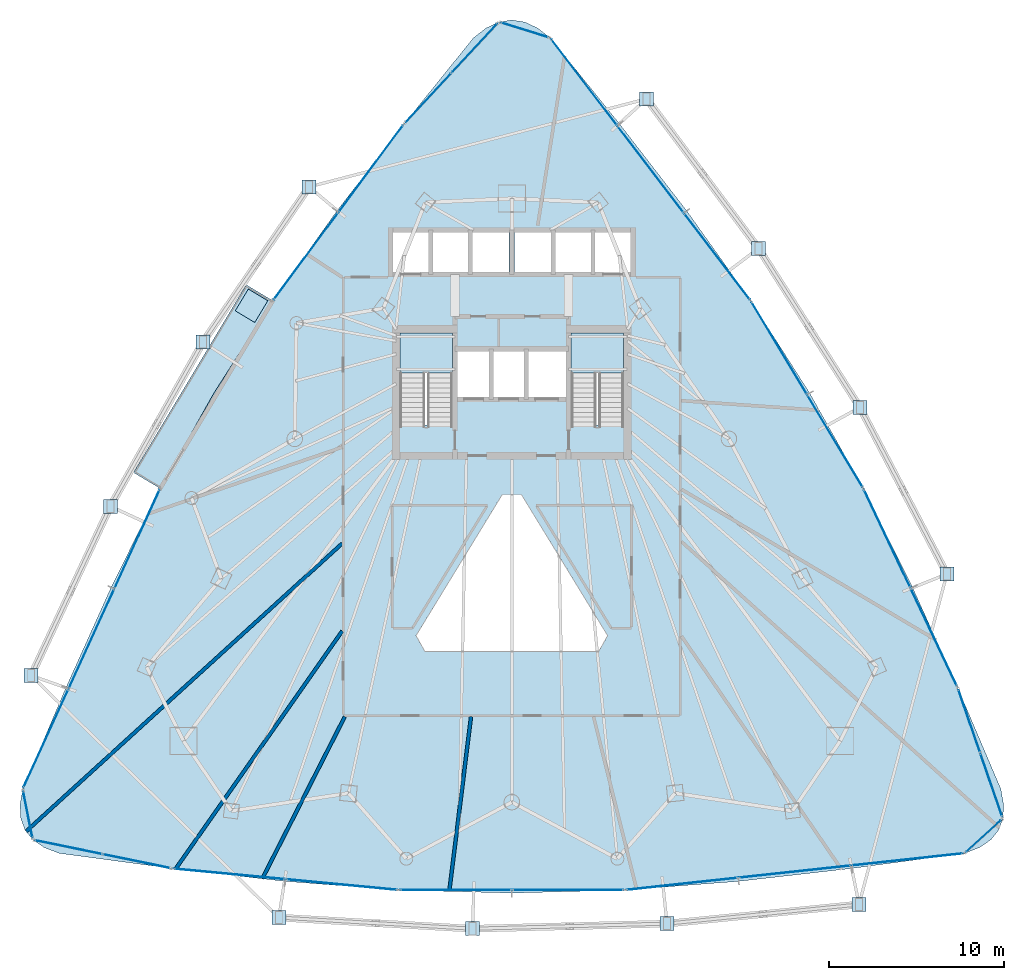
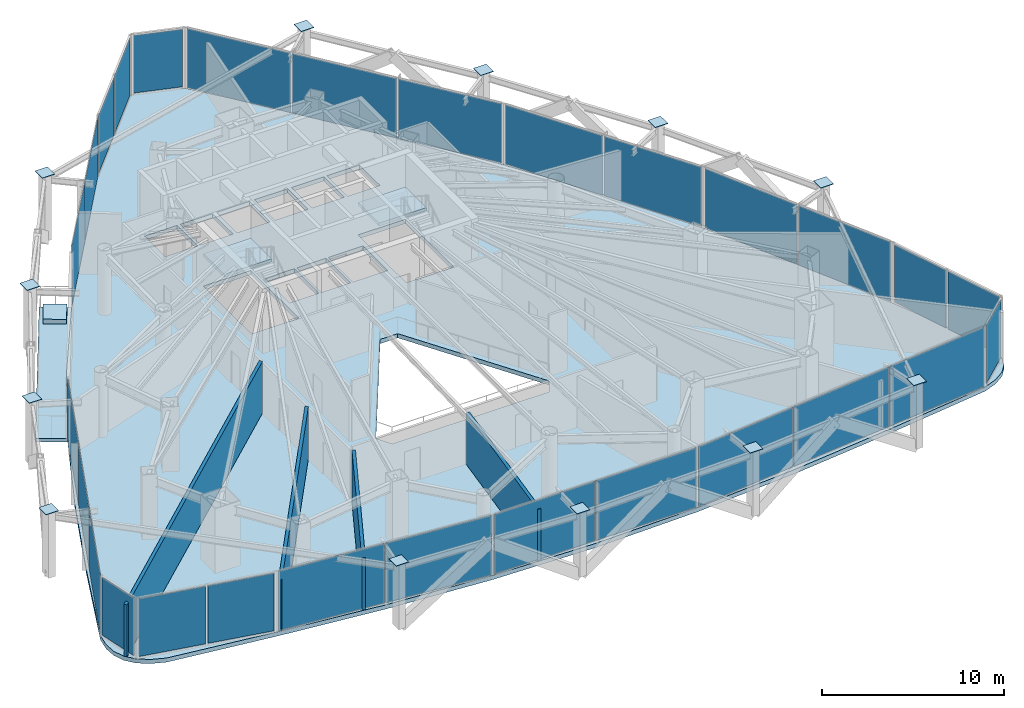
# One storey, part 27 of 33: 40 plates, 5 slabs, 4 walls, 16 elements without a shape of their own.
"""IFC4 building model written with IfcOpenShell, lengths in metres."""

from ifc_helpers import new_model, si_unit, direction, frame, frame_2d, origin, origin_2d, place, context, subcontext, project, spatial, polyline, rectangle, outline, extrude, material, layer, layer_set, type_object, element, aggregate, save


model = new_model("IFC4")

# Units and contexts
model_context = context("Model", 3, precision=1e-05, world=origin(), true_north=direction((0.0, 1.0)))
body_context = subcontext(model_context, "Body", "Model", "MODEL_VIEW")
ifc_project = project(units=[si_unit("LENGTHUNIT", "METRE"), si_unit("AREAUNIT", "SQUARE_METRE"), si_unit("VOLUMEUNIT", "CUBIC_METRE"), si_unit("PLANEANGLEUNIT", "RADIAN"), si_unit("MASSUNIT", "GRAM", prefix="KILO")], contexts=[model_context])

# Site, building, storey
site_placement = place(None, origin())
site = spatial("IfcSite", under=ifc_project, at=site_placement, CompositionType="ELEMENT")
building_placement = place(site_placement, origin())
building = spatial("IfcBuilding", under=site, at=building_placement, Name="Orvanel Arch Residences", CompositionType="ELEMENT")
storey_placement = place(building_placement, frame((0.0, 0.0, 59.89990234375)))
storey = spatial("IfcBuildingStorey", under=building, at=storey_placement, Name="L16", CompositionType="ELEMENT", Elevation=59.89990234375)

# Plates
ifc_material_1 = material(Name="Structural steel AS/NZS 3678 Grade 350", Category="steel")
ifc_layer_1 = layer(ifc_material_1, 0.031982421875)
ifc_layer_set_1 = layer_set([ifc_layer_1], Name="Structural steel AS/NZS 3678 Grade 350")
plate_type_1 = type_object("IfcPlateType", Name="PL-CAP-32", PredefinedType="SHEET", material=ifc_layer_set_1)
for number, where, z_axis, x_axis, name in (
    (1, (21.39111328125, 42.06689453125, 4.333984375), (0.0, 0.0, 1.0), (1.0, 0.0, 0.0), "L16 hollow member end cap plate"),
    (2, (15.318115234375, 33.18310546875, 4.333984375), (0.0, 0.0, 1.0), (1.0, 0.0, 0.0), "L16 hollow member end cap plate"),
    (3, (10.01806640625, 23.781005859375, 4.333984375), (0.0, 0.0, 1.0), (1.0, 0.0, 0.0), "L16 hollow member end cap plate"),
    (4, (5.48291015625, 14.091064453125, 4.333984375), (0.0, 0.0, 1.0), (1.0, 0.0, 0.0), "L16 hollow member end cap plate"),
    (5, (19.658935546875, 0.236083984375, 4.333984375), (0.0, 0.0, 1.0), (1.0, 0.0, 0.0), "L16 hollow member end cap plate"),
    (6, (30.7490234375, -0.402099609375, 4.333984375), (0.0, 0.0, 1.0), (1.0, 0.0, 0.0), "L16 hollow member end cap plate"),
    (7, (41.884033203125, -0.111083984375, 4.333984375), (0.0, 0.0, 1.0), (1.0, 0.0, 0.0), "L16 hollow member end cap plate"),
    (8, (52.8779296875, 0.985107421875, 4.333984375), (0.0, 0.0, 1.0), (1.0, 0.0, 0.0), "L16 hollow member end cap plate"),
    (9, (57.904052734375, 19.903076171875, 4.333984375), (0.0, 0.0, 1.0), (1.0, 0.0, 0.0), "L16 hollow member end cap plate"),
    (10, (52.926025390625, 29.443115234375, 4.333984375), (0.0, 0.0, 1.0), (1.0, 0.0, 0.0), "L16 hollow member end cap plate"),
    (11, (47.1259765625, 38.544921875, 4.333984375), (0.0, 0.0, 1.0), (1.0, 0.0, 0.0), "L16 hollow member end cap plate"),
    (12, (40.7119140625, 47.10693359375, 4.333984375), (0.0, 0.0, 1.0), (1.0, 0.0, 0.0), "L16 hollow member end cap plate"),
):
    element("IfcPlate", number, at=place(storey_placement, frame(where, z_axis=z_axis, x_axis=x_axis)), inside=storey, type_object=plate_type_1, Name=name, PredefinedType="SHEET", context=body_context, shape_type="SweptSolid", body=[
        extrude(rectangle(XDim=0.800048828125, YDim=0.800048828125, at=origin_2d()), origin(), (0.0, 0.0, 1.0), 0.031982421875),
    ])

# Curtain wall, plate
ifc_material_2 = material(Name="Bronze-anodised aluminium AA6063-T6", Category="aluminium")
ifc_layer_2 = layer(ifc_material_2, 0.18994140625)
ifc_layer_set_2 = layer_set([ifc_layer_2], Name="Bronze-anodised aluminium AA6063-T6")
curtain_wall_type_1 = type_object("IfcCurtainWallType", Name="CW5-CRN-SYS", PredefinedType="NOTDEFINED", material=ifc_layer_set_2)
curtain_wall_1_placement = place(storey_placement, origin())
curtain_wall_1 = element("IfcCurtainWall", 13, at=curtain_wall_1_placement, inside=storey, type_object=curtain_wall_type_1, Name="L16 CW5-CRN-SYS Unitised Curtain Wall", PredefinedType="NOTDEFINED")
ifc_material_3 = material(Name="Double-glazed solar-control low-E safety glass", Category="glass")
ifc_layer_3 = layer(ifc_material_3, 0.031982421875)
ifc_layer_set_3 = layer_set([ifc_layer_3], Name="Double-glazed solar-control low-E safety glass")
plate_type_2 = type_object("IfcPlateType", Name="PNL-GLZ-32", PredefinedType="CURTAIN_PANEL", material=ifc_layer_set_3)
plate_1_placement = place(storey_placement, frame((33.735107421875, 51.050537109375, 0.130126953125), z_axis=(0.0, 0.0, 1.0), x_axis=(-0.954842257027, 0.297113217806, 0.0)))
plate_1 = element("IfcPlate", 14, at=plate_1_placement, type_object=plate_type_2, Name="CW-S5 panel 1.1", PredefinedType="CURTAIN_PANEL", context=body_context, shape_type="SweptSolid", body=[
    extrude(rectangle(XDim=2.7392578125, YDim=0.031982421875, at=origin_2d()), origin(), (0.0, 0.0, 1.0), 3.85009765625),
])
aggregate(curtain_wall_1, [plate_1])

# Curtain wall, plates
curtain_wall_2_placement = place(storey_placement, origin())
curtain_wall_2 = element("IfcCurtainWall", 15, at=curtain_wall_2_placement, inside=storey, type_object=curtain_wall_type_1, Name="L16 CW5-CRN-SYS Unitised Curtain Wall", PredefinedType="NOTDEFINED")
plate_2_placement = place(storey_placement, frame((30.871826171875, 50.012451171875, 0.130126953125), z_axis=(0.0, 0.0, 1.0), x_axis=(-0.68160919544, -0.73171641002, 0.0)))
plate_2 = element("IfcPlate", 16, at=plate_2_placement, type_object=plate_type_2, Name="CW-S5 panel 1.1", PredefinedType="CURTAIN_PANEL", context=body_context, shape_type="SweptSolid", body=[
    extrude(rectangle(XDim=3.74658203125, YDim=0.031982421875, at=origin_2d()), origin(), (0.0, 0.0, 1.0), 3.85009765625),
])
plate_3_placement = place(storey_placement, frame((28.216064453125, 47.161376953125, 0.130126953125), z_axis=(0.0, 0.0, 1.0), x_axis=(-0.68160919544, -0.73171641002, 0.0)))
plate_3 = element("IfcPlate", 17, at=plate_3_placement, type_object=plate_type_2, Name="CW-S5 panel 2.1", PredefinedType="CURTAIN_PANEL", context=body_context, shape_type="SweptSolid", body=[
    extrude(rectangle(XDim=3.74658203125, YDim=0.031982421875, at=origin_2d()), origin(), (0.0, 0.0, 1.0), 3.85009765625),
])
aggregate(curtain_wall_2, [plate_2, plate_3])

# Curtain wall, plate
curtain_wall_3_placement = place(storey_placement, origin())
curtain_wall_3 = element("IfcCurtainWall", 18, at=curtain_wall_3_placement, inside=storey, type_object=curtain_wall_type_1, Name="L16 CW5-CRN-SYS Unitised Curtain Wall", PredefinedType="NOTDEFINED")
plate_4_placement = place(storey_placement, frame((5.291015625, 6.137939453125, 0.130126953125), z_axis=(0.0, 0.0, 1.0), x_axis=(0.1955900444, -0.980685747083, 0.0)))
plate_4 = element("IfcPlate", 19, at=plate_4_placement, type_object=plate_type_2, Name="CW-S5 panel 1.1", PredefinedType="CURTAIN_PANEL", context=body_context, shape_type="SweptSolid", body=[
    extrude(rectangle(XDim=2.62451171875, YDim=0.031982421875, at=origin_2d()), origin(), (0.0, 0.0, 1.0), 3.85009765625),
])
aggregate(curtain_wall_3, [plate_4])

# Curtain wall, plates
curtain_wall_4_placement = place(storey_placement, origin())
curtain_wall_4 = element("IfcCurtainWall", 20, at=curtain_wall_4_placement, inside=storey, type_object=curtain_wall_type_1, Name="L16 CW5-CRN-SYS Unitised Curtain Wall", PredefinedType="NOTDEFINED")
plate_5_placement = place(storey_placement, frame((7.623046875, 4.264404296875, 0.130126953125), z_axis=(0.0, 0.0, 1.0), x_axis=(0.9795279221, -0.201308345149, 0.0)))
plate_5 = element("IfcPlate", 21, at=plate_5_placement, type_object=plate_type_2, Name="CW-S5 panel 1.1", PredefinedType="CURTAIN_PANEL", context=body_context, shape_type="SweptSolid", body=[
    extrude(rectangle(XDim=3.828369140625, YDim=0.031982421875, at=origin_2d()), origin(), (0.0, 0.0, 1.0), 3.85009765625),
])
plate_6_placement = place(storey_placement, frame((11.52001953125, 3.463623046875, 0.130126953125), z_axis=(0.0, 0.0, 1.0), x_axis=(0.9795279221, -0.201308345149, 0.0)))
plate_6 = element("IfcPlate", 22, at=plate_6_placement, type_object=plate_type_2, Name="CW-S5 panel 2.1", PredefinedType="CURTAIN_PANEL", context=body_context, shape_type="SweptSolid", body=[
    extrude(rectangle(XDim=3.828369140625, YDim=0.031982421875, at=origin_2d()), origin(), (0.0, 0.0, 1.0), 3.85009765625),
])
aggregate(curtain_wall_4, [plate_5, plate_6])

# Curtain wall, plate
curtain_wall_5_placement = place(storey_placement, origin())
curtain_wall_5 = element("IfcCurtainWall", 23, at=curtain_wall_5_placement, inside=storey, type_object=curtain_wall_type_1, Name="L16 CW5-CRN-SYS Unitised Curtain Wall", PredefinedType="NOTDEFINED")
plate_7_placement = place(storey_placement, frame((60.014892578125, 4.91259765625, 0.130126953125), z_axis=(0.0, 0.0, 1.0), x_axis=(0.740295668678, 0.672281431349, 0.0)))
plate_7 = element("IfcPlate", 24, at=plate_7_placement, type_object=plate_type_2, Name="CW-S5 panel 1.1", PredefinedType="CURTAIN_PANEL", context=body_context, shape_type="SweptSolid", body=[
    extrude(rectangle(XDim=2.6259765625, YDim=0.031982421875, at=origin_2d()), origin(), (0.0, 0.0, 1.0), 3.85009765625),
])
aggregate(curtain_wall_5, [plate_7])

# Curtain wall, plates
curtain_wall_6_placement = place(storey_placement, origin())
curtain_wall_6 = element("IfcCurtainWall", 25, at=curtain_wall_6_placement, inside=storey, type_object=curtain_wall_type_1, Name="L16 CW5-CRN-SYS Unitised Curtain Wall", PredefinedType="NOTDEFINED")
plate_8_placement = place(storey_placement, frame((60.449462890625, 7.83056640625, 0.130126953125), z_axis=(0.0, 0.0, 1.0), x_axis=(-0.326197427825, 0.945301665121, 0.0)))
plate_8 = element("IfcPlate", 26, at=plate_8_placement, type_object=plate_type_2, Name="CW-S5 panel 1.1", PredefinedType="CURTAIN_PANEL", context=body_context, shape_type="SweptSolid", body=[
    extrude(rectangle(XDim=3.72509765625, YDim=0.031982421875, at=origin_2d()), origin(), (0.0, 0.0, 1.0), 3.85009765625),
])
plate_9_placement = place(storey_placement, frame((59.185546875, 11.49365234375, 0.130126953125), z_axis=(0.0, 0.0, 1.0), x_axis=(-0.326197427825, 0.945301665121, 0.0)))
plate_9 = element("IfcPlate", 27, at=plate_9_placement, type_object=plate_type_2, Name="CW-S5 panel 2.1", PredefinedType="CURTAIN_PANEL", context=body_context, shape_type="SweptSolid", body=[
    extrude(rectangle(XDim=3.72509765625, YDim=0.031982421875, at=origin_2d()), origin(), (0.0, 0.0, 1.0), 3.85009765625),
])
aggregate(curtain_wall_6, [plate_8, plate_9])

ifc_layer_4 = layer(ifc_material_2, 0.195068359375)
ifc_layer_set_4 = layer_set([ifc_layer_4], Name="Bronze-anodised aluminium AA6063-T6")
curtain_wall_type_2 = type_object("IfcCurtainWallType", Name="CW6-COM-SYS", PredefinedType="NOTDEFINED", material=ifc_layer_set_4)
curtain_wall_7_placement = place(storey_placement, origin())
curtain_wall_7 = element("IfcCurtainWall", 28, at=curtain_wall_7_placement, inside=storey, type_object=curtain_wall_type_2, Name="L16 CW6-COM-SYS Unitised Curtain Wall", PredefinedType="NOTDEFINED")
plate_10_placement = place(storey_placement, frame((24.9296875, 43.11376953125, 0.065185546875), z_axis=(0.0, 0.0, 1.0), x_axis=(-0.595774017942, -0.803152114823, 0.0)))
plate_10 = element("IfcPlate", 29, at=plate_10_placement, type_object=plate_type_2, Name="CW-S6 panel 1.1", PredefinedType="CURTAIN_PANEL", context=body_context, shape_type="SweptSolid", body=[
    extrude(rectangle(XDim=6.165771484375, YDim=0.031982421875, at=origin_2d()), origin(), (0.0, 0.0, 1.0), 3.97998046875),
])
plate_11_placement = place(storey_placement, frame((21.21142578125, 38.101318359375, 0.065185546875), z_axis=(0.0, 0.0, 1.0), x_axis=(-0.595774017942, -0.803152114823, 0.0)))
plate_11 = element("IfcPlate", 30, at=plate_11_placement, type_object=plate_type_2, Name="CW-S6 panel 2.1", PredefinedType="CURTAIN_PANEL", context=body_context, shape_type="SweptSolid", body=[
    extrude(rectangle(XDim=6.165771484375, YDim=0.031982421875, at=origin_2d()), origin(), (0.0, 0.0, 1.0), 3.97998046875),
])
aggregate(curtain_wall_7, [plate_10, plate_11])

curtain_wall_8_placement = place(storey_placement, origin())
curtain_wall_8 = element("IfcCurtainWall", 31, at=curtain_wall_8_placement, inside=storey, type_object=curtain_wall_type_2, Name="L16 CW6-COM-SYS Unitised Curtain Wall", PredefinedType="NOTDEFINED")
plate_12_placement = place(storey_placement, frame((11.54541015625, 21.902099609375, 0.065185546875), z_axis=(0.0, 0.0, 1.0), x_axis=(-0.415908698463, -0.909406374809, 0.0)))
plate_12 = element("IfcPlate", 32, at=plate_12_placement, type_object=plate_type_2, Name="CW-S6 panel 1.1", PredefinedType="CURTAIN_PANEL", context=body_context, shape_type="SweptSolid", body=[
    extrude(rectangle(XDim=6.181396484375, YDim=0.031982421875, at=origin_2d()), origin(), (0.0, 0.0, 1.0), 3.97998046875),
])
plate_13_placement = place(storey_placement, frame((8.935546875, 16.195556640625, 0.065185546875), z_axis=(0.0, 0.0, 1.0), x_axis=(-0.415908698463, -0.909406374809, 0.0)))
plate_13 = element("IfcPlate", 33, at=plate_13_placement, type_object=plate_type_2, Name="CW-S6 panel 2.1", PredefinedType="CURTAIN_PANEL", context=body_context, shape_type="SweptSolid", body=[
    extrude(rectangle(XDim=6.21875, YDim=0.031982421875, at=origin_2d()), origin(), (0.0, 0.0, 1.0), 3.97998046875),
])
plate_14_placement = place(storey_placement, frame((6.32568359375, 10.48876953125, 0.065185546875), z_axis=(0.0, 0.0, 1.0), x_axis=(-0.415908698463, -0.909406374809, 0.0)))
plate_14 = element("IfcPlate", 34, at=plate_14_placement, type_object=plate_type_2, Name="CW-S6 panel 3.1", PredefinedType="CURTAIN_PANEL", context=body_context, shape_type="SweptSolid", body=[
    extrude(rectangle(XDim=6.181396484375, YDim=0.031982421875, at=origin_2d()), origin(), (0.0, 0.0, 1.0), 3.97998046875),
])
aggregate(curtain_wall_8, [plate_12, plate_13, plate_14])

curtain_wall_9_placement = place(storey_placement, origin())
curtain_wall_9 = element("IfcCurtainWall", 35, at=curtain_wall_9_placement, inside=storey, type_object=curtain_wall_type_2, Name="L16 CW6-COM-SYS Unitised Curtain Wall", PredefinedType="NOTDEFINED")
plate_15_placement = place(storey_placement, frame((16.830322265625, 2.733154296875, 0.065185546875), z_axis=(0.0, 0.0, 1.0), x_axis=(0.995512772402, -0.094627268719, 0.0)))
plate_15 = element("IfcPlate", 36, at=plate_15_placement, type_object=plate_type_2, Name="CW-S6 panel 1.1", PredefinedType="CURTAIN_PANEL", context=body_context, shape_type="SweptSolid", body=[
    extrude(rectangle(XDim=6.376220703125, YDim=0.031982421875, at=origin_2d()), origin(), (0.0, 0.0, 1.0), 3.97998046875),
])
plate_16_placement = place(storey_placement, frame((23.252685546875, 2.122802734375, 0.065185546875), z_axis=(0.0, 0.0, 1.0), x_axis=(0.995512772402, -0.094627268719, 0.0)))
plate_16 = element("IfcPlate", 37, at=plate_16_placement, type_object=plate_type_2, Name="CW-S6 panel 2.1", PredefinedType="CURTAIN_PANEL", context=body_context, shape_type="SweptSolid", body=[
    extrude(rectangle(XDim=6.376220703125, YDim=0.031982421875, at=origin_2d()), origin(), (0.0, 0.0, 1.0), 3.97998046875),
])
aggregate(curtain_wall_9, [plate_15, plate_16])

curtain_wall_10_placement = place(storey_placement, origin())
curtain_wall_10 = element("IfcCurtainWall", 38, at=curtain_wall_10_placement, inside=storey, type_object=curtain_wall_type_2, Name="L16 CW6-COM-SYS Unitised Curtain Wall", PredefinedType="NOTDEFINED")
plate_17_placement = place(storey_placement, frame((29.789306640625, 1.81201171875, 0.065185546875), z_axis=(0.0, 0.0, 1.0), x_axis=(1.0, 0.0, 0.0)))
plate_17 = element("IfcPlate", 39, at=plate_17_placement, type_object=plate_type_2, Name="CW-S6 panel 1.1", PredefinedType="CURTAIN_PANEL", context=body_context, shape_type="SweptSolid", body=[
    extrude(rectangle(XDim=6.346435546875, YDim=0.031982421875, at=origin_2d()), origin(), (0.0, 0.0, 1.0), 3.97998046875),
])
plate_18_placement = place(storey_placement, frame((36.210693359375, 1.81201171875, 0.065185546875), z_axis=(0.0, 0.0, 1.0), x_axis=(1.0, 0.0, 0.0)))
plate_18 = element("IfcPlate", 40, at=plate_18_placement, type_object=plate_type_2, Name="CW-S6 panel 2.1", PredefinedType="CURTAIN_PANEL", context=body_context, shape_type="SweptSolid", body=[
    extrude(rectangle(XDim=6.346435546875, YDim=0.031982421875, at=origin_2d()), origin(), (0.0, 0.0, 1.0), 3.97998046875),
])
aggregate(curtain_wall_10, [plate_17, plate_18])

curtain_wall_11_placement = place(storey_placement, origin())
curtain_wall_11 = element("IfcCurtainWall", 41, at=curtain_wall_11_placement, inside=storey, type_object=curtain_wall_type_2, Name="L16 CW6-COM-SYS Unitised Curtain Wall", PredefinedType="NOTDEFINED")
plate_19_placement = place(storey_placement, frame((42.750732421875, 2.166015625, 0.065185546875), z_axis=(0.0, 0.0, 1.0), x_axis=(0.994191050309, 0.107629714694, 0.0)))
plate_19 = element("IfcPlate", 42, at=plate_19_placement, type_object=plate_type_2, Name="CW-S6 panel 1.1", PredefinedType="CURTAIN_PANEL", context=body_context, shape_type="SweptSolid", body=[
    extrude(rectangle(XDim=6.391357421875, YDim=0.031982421875, at=origin_2d()), origin(), (0.0, 0.0, 1.0), 3.97998046875),
])
plate_20_placement = place(storey_placement, frame((49.197998046875, 2.864013671875, 0.065185546875), z_axis=(0.0, 0.0, 1.0), x_axis=(0.994191050309, 0.107629714694, 0.0)))
plate_20 = element("IfcPlate", 43, at=plate_20_placement, type_object=plate_type_2, Name="CW-S6 panel 2.1", PredefinedType="CURTAIN_PANEL", context=body_context, shape_type="SweptSolid", body=[
    extrude(rectangle(XDim=6.4287109375, YDim=0.031982421875, at=origin_2d()), origin(), (0.0, 0.0, 1.0), 3.97998046875),
])
plate_21_placement = place(storey_placement, frame((55.645263671875, 3.56201171875, 0.065185546875), z_axis=(0.0, 0.0, 1.0), x_axis=(0.994191050309, 0.107629714694, 0.0)))
plate_21 = element("IfcPlate", 44, at=plate_21_placement, type_object=plate_type_2, Name="CW-S6 panel 3.1", PredefinedType="CURTAIN_PANEL", context=body_context, shape_type="SweptSolid", body=[
    extrude(rectangle(XDim=6.391357421875, YDim=0.031982421875, at=origin_2d()), origin(), (0.0, 0.0, 1.0), 3.97998046875),
])
aggregate(curtain_wall_11, [plate_19, plate_20, plate_21])

curtain_wall_12_placement = place(storey_placement, origin())
curtain_wall_12 = element("IfcCurtainWall", 45, at=curtain_wall_12_placement, inside=storey, type_object=curtain_wall_type_2, Name="L16 CW6-COM-SYS Unitised Curtain Wall", PredefinedType="NOTDEFINED")
plate_22_placement = place(storey_placement, frame((57.161376953125, 16.286865234375, 0.065185546875), z_axis=(0.0, 0.0, 1.0), x_axis=(-0.427997330769, 0.903779998039, 0.0)))
plate_22 = element("IfcPlate", 46, at=plate_22_placement, type_object=plate_type_2, Name="CW-S6 panel 1.1", PredefinedType="CURTAIN_PANEL", context=body_context, shape_type="SweptSolid", body=[
    extrude(rectangle(XDim=6.16552734375, YDim=0.031982421875, at=origin_2d()), origin(), (0.0, 0.0, 1.0), 3.97998046875),
])
plate_23_placement = place(storey_placement, frame((54.490478515625, 21.927001953125, 0.065185546875), z_axis=(0.0, 0.0, 1.0), x_axis=(-0.427997330769, 0.903779998039, 0.0)))
plate_23 = element("IfcPlate", 47, at=plate_23_placement, type_object=plate_type_2, Name="CW-S6 panel 2.1", PredefinedType="CURTAIN_PANEL", context=body_context, shape_type="SweptSolid", body=[
    extrude(rectangle(XDim=6.16552734375, YDim=0.031982421875, at=origin_2d()), origin(), (0.0, 0.0, 1.0), 3.97998046875),
])
aggregate(curtain_wall_12, [plate_22, plate_23])

curtain_wall_13_placement = place(storey_placement, origin())
curtain_wall_13 = element("IfcCurtainWall", 48, at=curtain_wall_13_placement, inside=storey, type_object=curtain_wall_type_2, Name="L16 CW6-COM-SYS Unitised Curtain Wall", PredefinedType="NOTDEFINED")
plate_24_placement = place(storey_placement, frame((51.50341796875, 27.510986328125, 0.065185546875), z_axis=(0.0, 0.0, 1.0), x_axis=(-0.514401605104, 0.857549408878, 0.0)))
plate_24 = element("IfcPlate", 49, at=plate_24_placement, type_object=plate_type_2, Name="CW-S6 panel 1.1", PredefinedType="CURTAIN_PANEL", context=body_context, shape_type="SweptSolid", body=[
    extrude(rectangle(XDim=6.135498046875, YDim=0.031982421875, at=origin_2d()), origin(), (0.0, 0.0, 1.0), 3.97998046875),
])
plate_25_placement = place(storey_placement, frame((48.30859375, 32.8369140625, 0.065185546875), z_axis=(0.0, 0.0, 1.0), x_axis=(-0.514401605104, 0.857549408878, 0.0)))
plate_25 = element("IfcPlate", 50, at=plate_25_placement, type_object=plate_type_2, Name="CW-S6 panel 2.1", PredefinedType="CURTAIN_PANEL", context=body_context, shape_type="SweptSolid", body=[
    extrude(rectangle(XDim=6.135498046875, YDim=0.031982421875, at=origin_2d()), origin(), (0.0, 0.0, 1.0), 3.97998046875),
])
aggregate(curtain_wall_13, [plate_24, plate_25])

curtain_wall_14_placement = place(storey_placement, origin())
curtain_wall_14 = element("IfcCurtainWall", 51, at=curtain_wall_14_placement, inside=storey, type_object=curtain_wall_type_2, Name="L16 CW6-COM-SYS Unitised Curtain Wall", PredefinedType="NOTDEFINED")
plate_26_placement = place(storey_placement, frame((44.749755859375, 38.081787109375, 0.065185546875), z_axis=(0.0, 0.0, 1.0), x_axis=(-0.606555293284, 0.795041304706, 0.0)))
plate_26 = element("IfcPlate", 52, at=plate_26_placement, type_object=plate_type_2, Name="CW-S6 panel 1.1", PredefinedType="CURTAIN_PANEL", context=body_context, shape_type="SweptSolid", body=[
    extrude(rectangle(XDim=6.181396484375, YDim=0.031982421875, at=origin_2d()), origin(), (0.0, 0.0, 1.0), 3.97998046875),
])
plate_27_placement = place(storey_placement, frame((40.943603515625, 43.071044921875, 0.065185546875), z_axis=(0.0, 0.0, 1.0), x_axis=(-0.606555293284, 0.795041304706, 0.0)))
plate_27 = element("IfcPlate", 53, at=plate_27_placement, type_object=plate_type_2, Name="CW-S6 panel 2.1", PredefinedType="CURTAIN_PANEL", context=body_context, shape_type="SweptSolid", body=[
    extrude(rectangle(XDim=6.218994140625, YDim=0.031982421875, at=origin_2d()), origin(), (0.0, 0.0, 1.0), 3.97998046875),
])
plate_28_placement = place(storey_placement, frame((37.13720703125, 48.06005859375, 0.065185546875), z_axis=(0.0, 0.0, 1.0), x_axis=(-0.606555293284, 0.795041304706, 0.0)))
plate_28 = element("IfcPlate", 54, at=plate_28_placement, type_object=plate_type_2, Name="CW-S6 panel 3.1", PredefinedType="CURTAIN_PANEL", context=body_context, shape_type="SweptSolid", body=[
    extrude(rectangle(XDim=6.181396484375, YDim=0.031982421875, at=origin_2d()), origin(), (0.0, 0.0, 1.0), 3.97998046875),
])
aggregate(curtain_wall_14, [plate_26, plate_27, plate_28])

# Slab
ifc_material_4 = material(Name="Concrete N40 (40 MPa)", Category="concrete")
ifc_layer_5 = layer(ifc_material_4, 0.22998046875)
ifc_layer_set_5 = layer_set([ifc_layer_5], Name="Concrete N40 (40 MPa)")
slab_type_1 = type_object("IfcSlabType", Name="SLB-BAL-230", PredefinedType="FLOOR", material=ifc_layer_set_5)
slab_1_placement = place(storey_placement, frame((0.0, 0.0, -0.22998046875)))
element("IfcSlab", 55, at=slab_1_placement, inside=storey, type_object=slab_type_1, Name="L16 Cantilevered Balcony Slab Face 1", PredefinedType="FLOOR", context=body_context, shape_type="SweptSolid", body=[
    extrude(outline(polyline([(17.7919921875, 36.465087890625), (11.343017578125, 25.715087890625), (12.8701171875, 24.799072265625), (15.945068359375, 30.262939453125), (19.318115234375, 35.549072265625), (17.7919921875, 36.465087890625)])), origin(), (0.0, 0.0, 1.0), 0.22998046875),
])

# Stair, slab
ifc_material_5 = material(Name="Precast concrete N50 (50 MPa)", Category="concrete")
stair_type = type_object("IfcStairType", Name="STR-DOG-181", PredefinedType="USERDEFINED", material=ifc_material_5)
stair_1_placement = place(storey_placement, origin())
stair_1 = element("IfcStair", 56, at=stair_1_placement, inside=storey, type_object=stair_type, Name="L16 Fire-Isolated Core Exit Stair 1", ObjectType="TWO_RETURN_STAIR", PredefinedType="USERDEFINED")
ifc_layer_6 = layer(ifc_material_4, 0.199951171875)
ifc_layer_set_6 = layer_set([ifc_layer_6], Name="Concrete N40 (40 MPa)")
slab_type_2 = type_object("IfcSlabType", Name="SLB-LND-200", PredefinedType="LANDING", material=ifc_layer_set_6)
slab_2_placement = place(storey_placement, frame((0.0, 0.0, 1.97509765625)))
slab_2 = element("IfcSlab", 57, at=slab_2_placement, type_object=slab_type_2, Name="ST-1 landing 1", PredefinedType="LANDING", context=body_context, shape_type="SweptSolid", body=[
    extrude(outline(polyline([(29.60009765625, 31.39990234375), (29.60009765625, 33.699951171875), (26.60009765625, 33.699951171875), (26.60009765625, 31.39990234375), (29.60009765625, 31.39990234375)])), origin(), (0.0, 0.0, 1.0), 0.199951171875),
])
aggregate(stair_1, [slab_2])

stair_2_placement = place(storey_placement, origin())
stair_2 = element("IfcStair", 58, at=stair_2_placement, inside=storey, type_object=stair_type, Name="L16 Fire-Isolated Core Exit Stair 2", ObjectType="TWO_RETURN_STAIR", PredefinedType="USERDEFINED")
slab_3_placement = place(storey_placement, frame((0.0, 0.0, 1.97509765625)))
slab_3 = element("IfcSlab", 59, at=slab_3_placement, type_object=slab_type_2, Name="ST-2 landing 1", PredefinedType="LANDING", context=body_context, shape_type="SweptSolid", body=[
    extrude(outline(polyline([(39.39990234375, 31.39990234375), (39.39990234375, 33.699951171875), (36.39990234375, 33.699951171875), (36.39990234375, 31.39990234375), (39.39990234375, 31.39990234375)])), origin(), (0.0, 0.0, 1.0), 0.199951171875),
])
aggregate(stair_2, [slab_3])

# Slabs
ifc_material_6 = material(Name="Structural architectural precast concrete N40 (40 MPa) planter", Category="concrete")
ifc_layer_7 = layer(ifc_material_6, 0.320068359375)
ifc_layer_set_7 = layer_set([ifc_layer_7], Name="Structural architectural precast concrete N40 (40 MPa) planter")
slab_type_3 = type_object("IfcSlabType", Name="SLB-PLN-320", PredefinedType="USERDEFINED", material=ifc_layer_set_7)
slab_4_placement = place(storey_placement, origin())
element("IfcSlab", 60, at=slab_4_placement, inside=storey, type_object=slab_type_3, Name="L16 Balcony TREE PLANTER Face 1", ObjectType="PLANTER", PredefinedType="USERDEFINED", context=body_context, shape_type="SweptSolid", body=[
    extrude(outline(polyline([(17.912109375, 36.218017578125), (17.166015625, 34.97509765625), (18.281005859375, 34.305908203125), (19.027099609375, 35.549072265625), (17.912109375, 36.218017578125)])), origin(), (0.0, 0.0, 1.0), 0.320068359375),
])
ifc_layer_8 = layer(ifc_material_4, 0.280029296875)
ifc_layer_set_8 = layer_set([ifc_layer_8], Name="Concrete N40 (40 MPa)")
slab_type_4 = type_object("IfcSlabType", Name="SLB-POD-280", PredefinedType="FLOOR", material=ifc_layer_set_8)
slab_5_placement = place(storey_placement, frame((0.0, 0.0, -0.27978515625)))
element("IfcSlab", 61, at=slab_5_placement, inside=storey, type_object=slab_type_4, Name="L16 Tower Floor Slab", PredefinedType="FLOOR", context=body_context, shape_type="SweptSolid", body=[
    extrude(outline(polyline([(35.205078125, 50.593017578125), (34.469970703125, 51.1640625), (33.735107421875, 51.508056640625), (33.0, 51.6220703125), (32.264892578125, 51.508056640625), (31.530029296875, 51.1640625), (30.794921875, 50.593017578125), (26.822998046875, 45.666015625), (22.966064453125, 40.6708984375), (19.318115234375, 35.549072265625), (15.945068359375, 30.262939453125), (12.8701171875, 24.799072265625), (10.069091796875, 19.169921875), (7.47802734375, 13.4150390625), (5.0009765625, 7.592041015625), (4.843017578125, 6.693115234375), (4.886962890625, 5.908935546875), (5.133056640625, 5.239013671875), (5.5810546875, 4.68408203125), (6.23095703125, 4.241943359375), (7.0830078125, 3.916015625), (13.56201171875, 3.0439453125), (20.041015625, 2.305908203125), (26.52099609375, 1.81201171875), (33.0, 1.638916015625), (39.47900390625, 1.81201171875), (45.958984375, 2.305908203125), (52.43798828125, 3.0439453125), (58.9169921875, 3.916015625), (59.76904296875, 4.241943359375), (60.4189453125, 4.68408203125), (60.866943359375, 5.239013671875), (61.113037109375, 5.908935546875), (61.156982421875, 6.693115234375), (60.9990234375, 7.592041015625), (58.52197265625, 13.4150390625), (55.930908203125, 19.169921875), (53.1298828125, 24.799072265625), (50.053955078125, 30.262939453125), (46.681884765625, 35.549072265625), (43.033935546875, 40.6708984375), (39.176025390625, 45.666015625), (35.205078125, 50.593017578125)]), holes=[polyline([(26.60009765625, 28.429931640625), (26.60009765625, 33.699951171875), (29.60009765625, 33.699951171875), (29.60009765625, 28.429931640625), (26.60009765625, 28.429931640625)]), polyline([(36.39990234375, 28.429931640625), (36.39990234375, 33.699951171875), (39.39990234375, 33.699951171875), (39.39990234375, 28.429931640625), (36.39990234375, 28.429931640625)]), polyline([(29.89990234375, 32.64990234375), (31.75, 32.64990234375), (31.75, 29.949951171875), (29.89990234375, 29.949951171875), (29.89990234375, 32.64990234375)]), polyline([(31.89990234375, 32.64990234375), (33.75, 32.64990234375), (33.75, 29.949951171875), (31.89990234375, 29.949951171875), (31.89990234375, 32.64990234375)]), polyline([(33.89990234375, 32.64990234375), (36.10009765625, 32.64990234375), (36.10009765625, 29.949951171875), (33.89990234375, 29.949951171875), (33.89990234375, 32.64990234375)]), polyline([(26.199951171875, 39.449951171875), (28.25, 39.449951171875), (28.25, 37.199951171875), (26.199951171875, 37.199951171875), (26.199951171875, 39.449951171875)]), polyline([(37.75, 39.449951171875), (39.800048828125, 39.449951171875), (39.800048828125, 37.199951171875), (37.75, 37.199951171875), (37.75, 39.449951171875)]), polyline([(28.449951171875, 39.449951171875), (30.5, 39.449951171875), (30.5, 37.199951171875), (28.449951171875, 37.199951171875), (28.449951171875, 39.449951171875)]), polyline([(35.5, 39.449951171875), (37.550048828125, 39.449951171875), (37.550048828125, 37.199951171875), (35.5, 37.199951171875), (35.5, 39.449951171875)]), polyline([(30.75, 39.449951171875), (32.85009765625, 39.449951171875), (32.85009765625, 37.199951171875), (30.75, 37.199951171875), (30.75, 39.449951171875)]), polyline([(33.14990234375, 39.449951171875), (35.25, 39.449951171875), (35.25, 37.199951171875), (33.14990234375, 37.199951171875), (33.14990234375, 39.449951171875)]), polyline([(38.485107421875, 16.3779296875), (37.97509765625, 15.468994140625), (28.02490234375, 15.468994140625), (27.514892578125, 16.3779296875), (32.444091796875, 24.44091796875), (33.555908203125, 24.44091796875), (38.485107421875, 16.3779296875)])]), origin(), (0.0, 0.0, 1.0), 0.27978515625),
])

# Walls
ifc_material_7 = material(Name="Fire-rated plasterboard lined steel stud partition", Category="steel")
ifc_layer_9 = layer(ifc_material_7, 0.199951171875)
ifc_layer_set_9 = layer_set([ifc_layer_9], Name="Fire-rated plasterboard lined steel stud partition")
wall_type = type_object("IfcWallType", Name="W-DEM-200", PredefinedType="PARTITIONING", material=ifc_layer_set_9)
wall_1_placement = place(storey_placement, frame((23.2900390625, 21.656005859375, 0.0), z_axis=(0.0, 0.0, 1.0), x_axis=(-0.739298652733, -0.673377681593, 0.0)))
element("IfcWall", 62, at=wall_1_placement, inside=storey, type_object=wall_type, Name="L16 Amenity Wall", PredefinedType="PARTITIONING", context=body_context, shape_type="SweptSolid", body=[
    extrude(rectangle(XDim=24.46923828125, YDim=0.199951171875, at=frame_2d((12.234619140625, 0.0))), origin(), (0.0, 0.0, 1.0), 3.463134765625),
])
wall_2_placement = place(storey_placement, frame((23.2900390625, 16.639892578125, 0.0), z_axis=(0.0, 0.0, 1.0), x_axis=(-0.573805547181, -0.8189915714, 0.0)))
element("IfcWall", 63, at=wall_2_placement, inside=storey, type_object=wall_type, Name="L16 Amenity Wall", PredefinedType="PARTITIONING", context=body_context, shape_type="SweptSolid", body=[
    extrude(rectangle(XDim=16.61181640625, YDim=0.199951171875, at=frame_2d((8.305908203125, 0.0))), origin(), (0.0, 0.0, 1.0), 3.463134765625),
])
wall_3_placement = place(storey_placement, frame((29.4208984375, 1.7490234375, 0.0), z_axis=(0.0, 0.0, 1.0), x_axis=(0.123572127709, 0.99233559306, 0.0)))
element("IfcWall", 64, at=wall_3_placement, inside=storey, type_object=wall_type, Name="L16 Amenity Wall", PredefinedType="PARTITIONING", context=body_context, shape_type="SweptSolid", body=[
    extrude(rectangle(XDim=10.068115234375, YDim=0.199951171875, at=frame_2d((5.0341796875, 0.0))), origin(), (0.0, 0.0, 1.0), 3.463134765625),
])
wall_4_placement = place(storey_placement, frame((18.717041015625, 2.470947265625, 0.0), z_axis=(0.0, 0.0, 1.0), x_axis=(0.454071667516, 0.890965162484, 0.0)))
element("IfcWall", 65, at=wall_4_placement, inside=storey, type_object=wall_type, Name="L16 Amenity Wall", PredefinedType="PARTITIONING", context=body_context, shape_type="SweptSolid", body=[
    extrude(rectangle(XDim=10.4033203125, YDim=0.199951171875, at=frame_2d((5.20166015625, 0.0))), origin(), (0.0, 0.0, 1.0), 3.463134765625),
])

save(model, "model.ifc")
